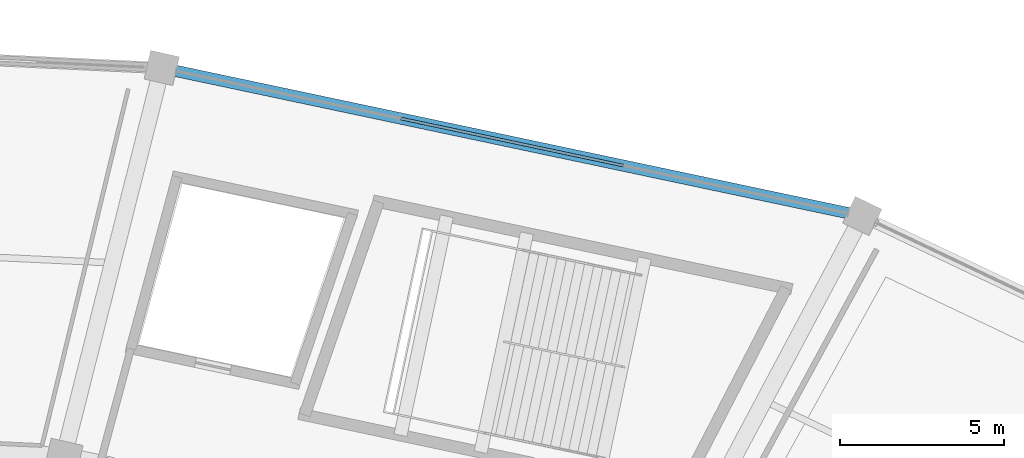
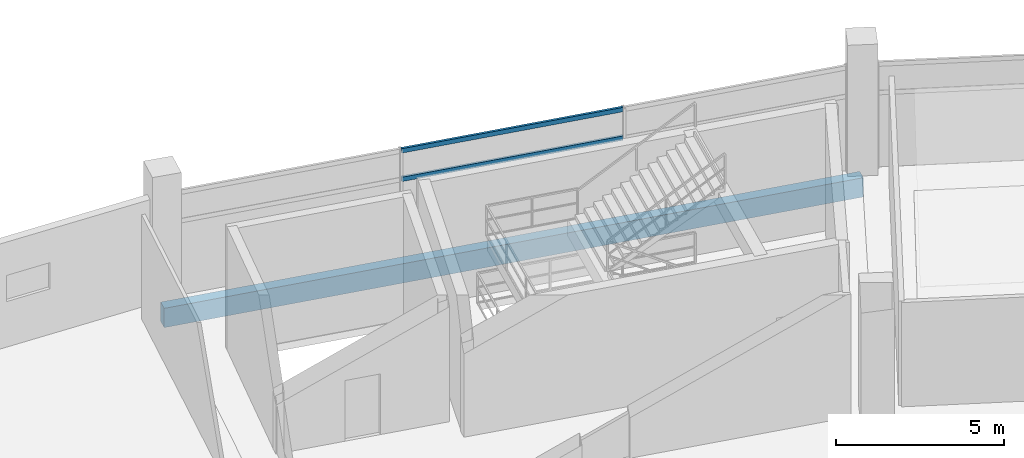
# One storey, part 118 of 171: 2 members, 1 beam, 1 element without a shape of its own.
"""IFC4 building model written with IfcOpenShell, lengths in metres."""

import ifcopenshell
import ifcopenshell.guid

model = None  # the IFC model being written
_history = None  # IfcOwnerHistory: only IFC2X3 demands one
_inside = {}  # id of a spatial element -> (the spatial element, [elements in it])
_under = {}  # id of a project, library or spatial element -> (it, [spatial elements below it])
_declared = {}  # id of a project -> (the project, [libraries it declares])
_typed = {}  # id of a type object -> (the type object, [elements of that type])
_made_of = {}  # id of a material, layer set ... -> (it, [elements and type objects made of it])


def new_model(schema):
    """Start an empty IFC model of exactly this schema.

    Asked for "IFC4X3", IfcOpenShell would pick the latest addendum, in which some entities
    have other attributes; the version numbers below select the first issue.
    IFC2X3 requires an IfcOwnerHistory on every rooted entity: one is made here for all.
    """
    global model, _history
    if schema == "IFC4X3":
        model = ifcopenshell.file(schema_version=(4, 3, 0, 0))
    else:
        model = ifcopenshell.file(schema=schema)
    _inside.clear()
    _under.clear()
    _declared.clear()
    _typed.clear()
    _made_of.clear()
    _history = None
    if model.schema == "IFC2X3":
        org = make("IfcOrganization", Name="unknown")
        user = make(
            "IfcPersonAndOrganization",
            ThePerson=make("IfcPerson", FamilyName="unknown"),
            TheOrganization=org,
        )
        app = make(
            "IfcApplication",
            ApplicationDeveloper=org,
            Version="unknown",
            ApplicationFullName="unknown",
            ApplicationIdentifier="unknown",
        )
        _history = make(
            "IfcOwnerHistory",
            OwningUser=user,
            OwningApplication=app,
            ChangeAction="ADDED",
            CreationDate=0,
        )
    return model


def make(cls, **values):
    """One entity of the class cls with the attributes given. An attribute that is None is left unset."""
    return model.create_entity(
        cls, **{name: value for name, value in values.items() if value is not None}
    )


def rooted(cls, **values):
    """An entity with a GlobalId (a new one), such as an element, a storey or a relation."""
    return make(cls, GlobalId=ifcopenshell.guid.new(), OwnerHistory=_history, **values)


def si_unit(unit_type, name, prefix=None):
    """IfcSIUnit, for example si_unit("LENGTHUNIT", "METRE", prefix="MILLI")."""
    return make("IfcSIUnit", UnitType=unit_type, Prefix=prefix, Name=name)


def assignment(units):
    """IfcUnitAssignment: the units of a project."""
    return None if units is None else make("IfcUnitAssignment", Units=units)


def point(xyz):
    """IfcCartesianPoint."""
    return None if xyz is None else make("IfcCartesianPoint", Coordinates=xyz)


def direction(xyz):
    """IfcDirection."""
    return None if xyz is None else make("IfcDirection", DirectionRatios=xyz)


def frame(location, z_axis=None, x_axis=None):
    """IfcAxis2Placement3D, a coordinate frame: its origin and axes. An axis left out is left unset."""
    return make(
        "IfcAxis2Placement3D",
        Location=point(location),
        Axis=direction(z_axis),
        RefDirection=direction(x_axis),
    )


def frame_2d(location, x_axis=None):
    """IfcAxis2Placement2D, a coordinate frame in the plane: its origin and x axis."""
    return make(
        "IfcAxis2Placement2D", Location=point(location), RefDirection=direction(x_axis)
    )


def origin():
    """The frame at (0, 0, 0) with its axes left unset."""
    return frame((0.0, 0.0, 0.0))


def origin_2d():
    """The frame at (0, 0) in the plane with its x axis left unset."""
    return frame_2d((0.0, 0.0))


def place(relative_to, where):
    """IfcLocalPlacement: puts the frame where relative to a parent placement (None: the world)."""
    return make(
        "IfcLocalPlacement", PlacementRelTo=relative_to, RelativePlacement=where
    )


def context(
    kind, dimensions, precision=None, world=None, true_north=None, identifier=None
):
    """IfcGeometricRepresentationContext, for example the 3D "Model" context."""
    return make(
        "IfcGeometricRepresentationContext",
        ContextIdentifier=identifier,
        ContextType=kind,
        CoordinateSpaceDimension=dimensions,
        Precision=precision,
        WorldCoordinateSystem=world,
        TrueNorth=true_north,
    )


def subcontext(parent, identifier, kind, view, scale=None):
    """IfcGeometricRepresentationSubContext, for example "Body" below "Model"."""
    return make(
        "IfcGeometricRepresentationSubContext",
        ContextIdentifier=identifier,
        ContextType=kind,
        ParentContext=parent,
        TargetScale=scale,
        TargetView=view,
    )


def project(units=None, contexts=None):
    """IfcProject with its units and contexts."""
    return rooted(
        "IfcProject",
        Name="project",
        RepresentationContexts=contexts,
        UnitsInContext=assignment(units),
    )


def spatial(cls, under=None, at=None, **own):
    """A site, building, storey or space (cls), placed at a placement, below another one or the project."""
    s = rooted(cls, ObjectPlacement=at, **own)
    if under is not None:
        _under.setdefault(under.id(), (under, []))[1].append(s)
    return s


def profile(cls, at=None, kind="AREA", **sizes):
    """A parametric profile (cls). Its sizes go by their IFC names, for example OverallWidth=200.0."""
    return make(cls, ProfileType=kind, Position=at, **sizes)


def rectangle(**sizes):
    """IfcRectangleProfileDef."""
    return profile("IfcRectangleProfileDef", **sizes)


def hollow_rectangle(**sizes):
    """IfcRectangleHollowProfileDef."""
    return profile("IfcRectangleHollowProfileDef", **sizes)


def extrude(swept, where, along, depth):
    """IfcExtrudedAreaSolid: the profile swept, set in the frame where, extruded along a direction by depth."""
    return make(
        "IfcExtrudedAreaSolid",
        SweptArea=swept,
        Position=where,
        ExtrudedDirection=direction(along),
        Depth=depth,
    )


def shape(context_of_items, identifier, shape_type, items):
    """IfcShapeRepresentation: the items that make up one representation, for example the "Body"."""
    return make(
        "IfcShapeRepresentation",
        ContextOfItems=context_of_items,
        RepresentationIdentifier=identifier,
        RepresentationType=shape_type,
        Items=items,
    )


def material(Name=None, Category=None):
    """IfcMaterial."""
    return make("IfcMaterial", Name=Name, Category=Category)


def layer(
    of_material, thickness, ventilated=None, Name=None, Category=None, Priority=None
):
    """IfcMaterialLayer: one layer of a wall or slab, of a material (None: an air gap)."""
    return make(
        "IfcMaterialLayer",
        Material=of_material,
        LayerThickness=thickness,
        IsVentilated=ventilated,
        Name=Name,
        Category=Category,
        Priority=Priority,
    )


def layer_set(layers, Name=None):
    """IfcMaterialLayerSet."""
    return make("IfcMaterialLayerSet", MaterialLayers=layers, LayerSetName=Name)


def material_profile(
    of_material, cross_section, Name=None, Category=None, Priority=None
):
    """IfcMaterialProfile: a cross section and its material."""
    return make(
        "IfcMaterialProfile",
        Name=Name,
        Material=of_material,
        Profile=cross_section,
        Priority=Priority,
        Category=Category,
    )


def profile_set(profiles, Name=None, composite=None):
    """IfcMaterialProfileSet."""
    return make(
        "IfcMaterialProfileSet",
        Name=Name,
        MaterialProfiles=profiles,
        CompositeProfile=composite,
    )


def made_of(thing, what):
    """Note that an element or type object is made of a material, layer set ...; save() writes the relation."""
    if what is not None:
        _made_of.setdefault(what.id(), (what, []))[1].append(thing)
    return thing


def type_object(cls, material=None, **own):
    """A type object (cls), such as IfcWallType, which elements share."""
    return made_of(rooted(cls, **own), material)


def element(
    cls,
    number,
    at=None,
    inside=None,
    cuts=None,
    type_object=None,
    material=None,
    context=None,
    identifier="Body",
    shape_type=None,
    held_by="IfcProductDefinitionShape",
    body=None,
    shapes=None,
    **own,
):
    """One element of the class cls, such as IfcWall. Its Tag is "e" and its number.

    at: its placement. inside: the storey or other place that contains it. cuts: it is an
    opening in that element (IfcRelVoidsElement). A single representation is given by context,
    identifier, shape_type and body (its items); several are given by shapes. held_by: the class
    of the entity that holds the representations. save() writes the other relations.
    """
    e = rooted(cls, Tag="e%d" % number, ObjectPlacement=at, **own)
    if body is not None:
        shapes = [shape(context, identifier, shape_type, body)]
    if shapes is not None:
        e.Representation = make(held_by, Representations=shapes)
    if inside is not None:
        _inside.setdefault(inside.id(), (inside, []))[1].append(e)
    if cuts is not None:
        rooted(
            "IfcRelVoidsElement", RelatingBuildingElement=cuts, RelatedOpeningElement=e
        )
    if type_object is not None:
        _typed.setdefault(type_object.id(), (type_object, []))[1].append(e)
    return made_of(e, material)


def aggregate(whole, parts):
    """IfcRelAggregates: a whole, such as a stair, and the parts it consists of."""
    return rooted("IfcRelAggregates", RelatingObject=whole, RelatedObjects=parts)


def save(model, path):
    """Write the relations noted so far, then the file.

    IfcRelAggregates (storeys below a building ...), IfcRelContainedInSpatialStructure (elements
    in a storey), IfcRelDefinesByType, IfcRelAssociatesMaterial and IfcRelDeclares: one each for
    every whole, place, type object, material and project.
    """
    for whole, parts in _under.values():
        aggregate(whole, parts)
    for where, things in _inside.values():
        rooted(
            "IfcRelContainedInSpatialStructure",
            RelatedElements=things,
            RelatingStructure=where,
        )
    for kind, things in _typed.values():
        rooted("IfcRelDefinesByType", RelatedObjects=things, RelatingType=kind)
    for what, things in _made_of.values():
        rooted("IfcRelAssociatesMaterial", RelatedObjects=things, RelatingMaterial=what)
    for by, libraries in _declared.values():
        rooted("IfcRelDeclares", RelatingContext=by, RelatedDefinitions=libraries)
    model.write(path)


model = new_model("IFC4")

# Units and contexts
model_context = context("Model", 3, precision=1e-05, world=origin(), true_north=direction((0.0, 1.0)))
body_context = subcontext(model_context, "Body", "Model", "MODEL_VIEW")
ifc_project = project(units=[si_unit("LENGTHUNIT", "METRE"), si_unit("AREAUNIT", "SQUARE_METRE"), si_unit("VOLUMEUNIT", "CUBIC_METRE"), si_unit("PLANEANGLEUNIT", "RADIAN"), si_unit("MASSUNIT", "GRAM", prefix="KILO")], contexts=[model_context])

# Site, building, storey
site_placement = place(None, origin())
site = spatial("IfcSite", under=ifc_project, at=site_placement, CompositionType="ELEMENT")
building_placement = place(site_placement, origin())
building = spatial("IfcBuilding", under=site, at=building_placement, Name="Kazemori Nagisa Stadium", CompositionType="ELEMENT")
storey_placement = place(building_placement, frame((0.0, 0.0, 15.639892578125)))
storey = spatial("IfcBuildingStorey", under=building, at=storey_placement, Name="L03", CompositionType="ELEMENT", Elevation=15.639892578125)

# Beam
ifc_material_1 = material(Name="Concrete C40/50 (Fc42)", Category="concrete")
ifc_material_profile_1 = material_profile(ifc_material_1, rectangle(XDim=0.35009765625, YDim=0.699951171875, at=origin_2d()), Name="RC-SP-350x700")
ifc_profile_set_1 = profile_set([ifc_material_profile_1], Name="Concrete C40/50 (Fc42)")
beam_type = type_object("IfcBeamType", Name="Beam_BS-RC350X700", PredefinedType="SPANDREL", material=ifc_profile_set_1)
beam_placement = place(storey_placement, frame((165.8046875, 182.46435546875, -0.60986328125), z_axis=(-0.97834587432, 0.206976689994, 0.0), x_axis=(-0.206976689994, -0.97834587432, 0.0)))
element("IfcBeam", 1, at=beam_placement, inside=storey, type_object=beam_type, Name="Ring girder BS-RC350X700 L03 R3-06", PredefinedType="SPANDREL", context=body_context, shape_type="SweptSolid", body=[
    extrude(rectangle(XDim=0.35009765625, YDim=0.699951171875, at=origin_2d()), origin(), (0.0, 0.0, 1.0), 21.85009765625),
])

# Curtain wall, members
ifc_material_2 = material(Name="Anodised aluminium 6063-T5", Category="aluminium")
ifc_layer = layer(ifc_material_2, 0.2099609375, Name="Anodised aluminium 6063-T5", Category="aluminium")
ifc_layer_set = layer_set([ifc_layer], Name="Anodised aluminium 6063-T5")
curtain_wall_type = type_object("IfcCurtainWallType", Name="CW_L03R3_105", PredefinedType="USERDEFINED", material=ifc_layer_set)
curtain_wall_placement = place(storey_placement, origin())
curtain_wall = element("IfcCurtainWall", 2, at=curtain_wall_placement, inside=storey, type_object=curtain_wall_type, Name="Unitised curtain wall CW-L03R3-105 L03", ObjectType="UNITISED CURTAIN WALL", PredefinedType="USERDEFINED")
ifc_material_3 = material(Name="Aluminium 6063-T5 anodised", Category="aluminium")
ifc_material_profile_2 = material_profile(ifc_material_3, hollow_rectangle(XDim=0.080078125, YDim=0.159912109375, WallThickness=0.00390625, at=origin_2d()), Name="ALU-TRAN-80x160x4")
ifc_profile_set_2 = profile_set([ifc_material_profile_2], Name="Aluminium 6063-T5 anodised")
member_type = type_object("IfcMemberType", Name="Transom_T02", PredefinedType="USERDEFINED", material=ifc_profile_set_2)
member_1_placement = place(storey_placement, frame((158.504638671875, 184.0087890625, 2.705322265625), z_axis=(-0.978348879673, 0.20696248366, 0.0), x_axis=(-0.20696248366, -0.978348879673, 0.0)))
member_1 = element("IfcMember", 3, at=member_1_placement, type_object=member_type, Name="Curtain wall transom CW-L03R3-105-T2-mid", ObjectType="TRANSOM", PredefinedType="USERDEFINED", context=body_context, shape_type="SweptSolid", body=[
    extrude(hollow_rectangle(XDim=0.080078125, YDim=0.159912109375, WallThickness=0.00390625, at=origin_2d()), origin(), (0.0, 0.0, 1.0), 6.9267578125),
])
member_2_placement = place(storey_placement, frame((158.504638671875, 184.0087890625, 3.739990234375), z_axis=(-0.978348879673, 0.20696248366, 0.0), x_axis=(-0.20696248366, -0.978348879673, 0.0)))
member_2 = element("IfcMember", 4, at=member_2_placement, type_object=member_type, Name="Curtain wall transom CW-L03R3-105-T2-head", ObjectType="TRANSOM", PredefinedType="USERDEFINED", context=body_context, shape_type="SweptSolid", body=[
    extrude(hollow_rectangle(XDim=0.080078125, YDim=0.159912109375, WallThickness=0.00390625, at=origin_2d()), origin(), (0.0, 0.0, 1.0), 6.9267578125),
])
aggregate(curtain_wall, [member_1, member_2])

save(model, "model.ifc")
